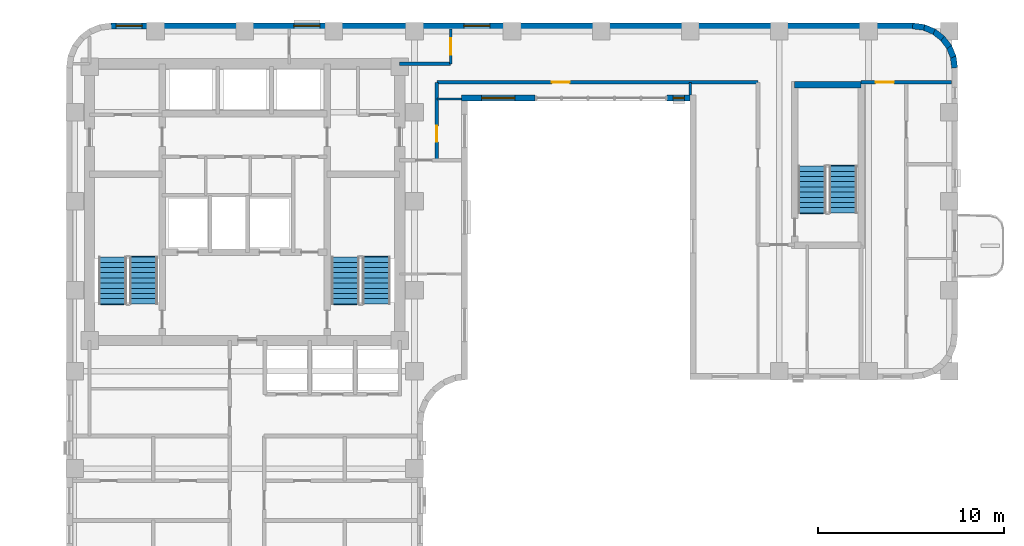
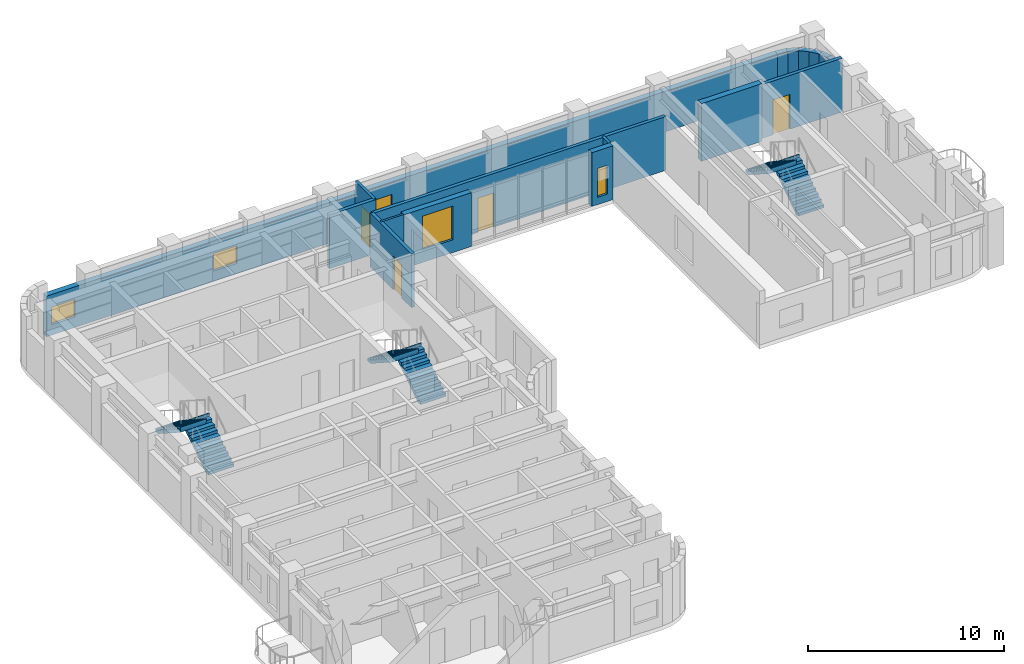
# One storey, part 8 of 11: 17 walls, 6 stair flights, 5 windows, 4 doors, 9 openings, 3 elements without a shape of their own.
"""IFC4 building model written with IfcOpenShell, lengths in metres."""

from ifc_helpers import new_model, si_unit, direction, frame, frame_2d, origin, place, context, subcontext, project, spatial, polyline, rectangle, outline, extrude, material, layer, layer_set, type_object, element, fill, aggregate, save


model = new_model("IFC4")

# Units and contexts
model_context = context("Model", 3, precision=1e-05, world=origin(), true_north=direction((0.0, 1.0)))
body_context = subcontext(model_context, "Body", "Model", "MODEL_VIEW")
ifc_project = project(units=[si_unit("LENGTHUNIT", "METRE"), si_unit("AREAUNIT", "SQUARE_METRE"), si_unit("VOLUMEUNIT", "CUBIC_METRE"), si_unit("PLANEANGLEUNIT", "RADIAN"), si_unit("MASSUNIT", "GRAM", prefix="KILO")], contexts=[model_context])

# Site, building, storey
site_placement = place(None, origin())
site = spatial("IfcSite", under=ifc_project, at=site_placement, CompositionType="ELEMENT")
building_placement = place(site_placement, origin())
building = spatial("IfcBuilding", under=site, at=building_placement, Name="Orvandelia Arch Residences", CompositionType="ELEMENT")
storey_placement = place(building_placement, frame((0.0, 0.0, 172.0)))
storey = spatial("IfcBuildingStorey", under=building, at=storey_placement, Name="L45", CompositionType="ELEMENT", Elevation=172.0)

# Walls
ifc_material_1 = material(Name="Concrete C50/60", Category="concrete")
ifc_layer_1 = layer(ifc_material_1, 0.35009765625, Name="Concrete C50/60", Category="concrete")
ifc_layer_set_1 = layer_set([ifc_layer_1], Name="Concrete C50/60")
wall_type_1 = type_object("IfcWallType", Name="WL-CORE-350", PredefinedType="SHEAR", material=ifc_layer_set_1)
wall_1_placement = place(storey_placement, frame((44.02001953125, 44.659912109375, 0.0), z_axis=(0.0, 0.0, 1.0), x_axis=(1.0, 0.0, 0.0)))
element("IfcWall", 1, at=wall_1_placement, inside=storey, type_object=wall_type_1, Name="East Stair Core Shear Wall L45-N", PredefinedType="SHEAR", context=body_context, shape_type="SweptSolid", body=[
    extrude(rectangle(XDim=3.580078125, YDim=0.35009765625, at=frame_2d((1.7900390625, 0.0))), origin(), (0.0, 0.0, 1.0), 3.60009765625),
])
ifc_material_2 = material(Name="Fire-Rated Corridor Partition")
ifc_layer_2 = layer(ifc_material_2, 0.199951171875, Name="Fire-Rated Corridor Partition")
ifc_layer_set_2 = layer_set([ifc_layer_2], Name="Fire-Rated Corridor Partition")
wall_type_2 = type_object("IfcWallType", Name="WL-CORR-200", PredefinedType="PARTITIONING", material=ifc_layer_set_2)
wall_2_placement = place(storey_placement, frame((22.75, 45.800048828125, 0.0), z_axis=(0.0, 0.0, 1.0), x_axis=(1.0, 0.0, 0.0)))
element("IfcWall", 2, at=wall_2_placement, inside=storey, type_object=wall_type_2, Name="Interior Partition Wall WL-L45-NCE-S", PredefinedType="PARTITIONING", context=body_context, shape_type="SweptSolid", body=[
    extrude(rectangle(XDim=2.75, YDim=0.199951171875, at=frame_2d((1.375, 0.0))), origin(), (0.0, 0.0, 1.0), 3.360107421875),
])

# Wall, opening, door
wall_3_placement = place(storey_placement, frame((24.75, 44.800048828125, 0.0), z_axis=(0.0, 0.0, 1.0), x_axis=(1.0, 0.0, 0.0)))
wall_3 = element("IfcWall", 3, at=wall_3_placement, inside=storey, type_object=wall_type_2, Name="Interior Partition Wall WL-L45-ENP-S1", PredefinedType="PARTITIONING", context=body_context, shape_type="SweptSolid", body=[
    extrude(rectangle(XDim=17.300048828125, YDim=0.199951171875, at=frame_2d((8.64990234375, 0.0))), origin(), (0.0, 0.0, 1.0), 3.360107421875),
])
opening_1_placement = place(wall_3_placement, frame((6.199951171875, 0.0, 0.0)))
opening_1 = element("IfcOpeningElement", 4, at=opening_1_placement, cuts=wall_3, Name="Opening D2", PredefinedType="OPENING", context=body_context, shape_type="SweptSolid", body=[
    extrude(rectangle(XDim=0.949951171875, YDim=2.14990234375, at=frame_2d((0.47509765625, 1.074951171875))), frame((0.0, 0.10986328125, 0.0), z_axis=(0.0, -1.0, 0.0), x_axis=(1.0, 0.0, 0.0)), (0.0, 0.0, 1.0), 0.219970703125),
])
ifc_material_3 = material(Name="Solid-Core Timber Interior Fire Door", Category="wood")
door_type_1 = type_object("IfcDoorType", Name="DR-APT-950", OperationType="NOTDEFINED", PredefinedType="DOOR", material=ifc_material_3)
door_1_placement = place(opening_1_placement, origin())
door_1 = element("IfcDoor", 5, at=door_1_placement, inside=storey, type_object=door_type_1, Name="DR-L45-VPBRG", OperationType="SINGLE_SWING_LEFT", OverallHeight=2.14990234375, OverallWidth=0.949951171875, PredefinedType="DOOR", context=body_context, shape_type="SweptSolid", body=[
    extrude(rectangle(XDim=0.949951171875, YDim=2.14990234375, at=frame_2d((0.47509765625, 1.074951171875))), frame((0.0, 0.02490234375, 0.0), z_axis=(0.0, -1.0, 0.0), x_axis=(1.0, 0.0, 0.0)), (0.0, 0.0, 1.0), 0.050048828125),
])
fill(opening_1, door_1)

wall_4_placement = place(storey_placement, frame((47.60009765625, 44.800048828125, 0.0), z_axis=(0.0, 0.0, 1.0), x_axis=(1.0, 0.0, 0.0)))
wall_4 = element("IfcWall", 6, at=wall_4_placement, inside=storey, type_object=wall_type_2, Name="Interior Partition Wall WL-L45-ENP-S2", PredefinedType="PARTITIONING", context=body_context, shape_type="SweptSolid", body=[
    extrude(rectangle(XDim=4.8798828125, YDim=0.199951171875, at=frame_2d((2.43994140625, 0.0))), origin(), (0.0, 0.0, 1.0), 3.360107421875),
])
opening_2_placement = place(wall_4_placement, frame((0.79150390625, 0.0, 0.0)))
opening_2 = element("IfcOpeningElement", 7, at=opening_2_placement, cuts=wall_4, Name="Opening D1", PredefinedType="OPENING", context=body_context, shape_type="SweptSolid", body=[
    extrude(rectangle(XDim=0.97998046875, YDim=2.179931640625, at=frame_2d((0.489990234375, 1.08984375))), frame((0.0, 0.10986328125, 0.0), z_axis=(0.0, -1.0, 0.0), x_axis=(1.0, 0.0, 0.0)), (0.0, 0.0, 1.0), 0.219970703125),
])
ifc_material_4 = material(Name="Solid-Core Timber Acoustic Fire Door", Category="wood")
door_type_2 = type_object("IfcDoorType", Name="DR-ENT-980", OperationType="NOTDEFINED", PredefinedType="DOOR", material=ifc_material_4)
door_2_placement = place(opening_2_placement, origin())
door_2 = element("IfcDoor", 8, at=door_2_placement, inside=storey, type_object=door_type_2, Name="Unit L45-07 Entrance Door", OperationType="SINGLE_SWING_LEFT", OverallHeight=2.179931640625, OverallWidth=0.97998046875, PredefinedType="DOOR", context=body_context, shape_type="SweptSolid", body=[
    extrude(rectangle(XDim=0.97998046875, YDim=2.179931640625, at=frame_2d((0.489990234375, 1.08984375))), frame((0.0, 0.02490234375, 0.0), z_axis=(0.0, -1.0, 0.0), x_axis=(1.0, 0.0, 0.0)), (0.0, 0.0, 1.0), 0.050048828125),
])
fill(opening_2, door_2)

wall_5_placement = place(storey_placement, frame((24.75, 40.60009765625, 0.0), z_axis=(0.0, 0.0, 1.0), x_axis=(0.0, 1.0, 0.0)))
wall_5 = element("IfcWall", 9, at=wall_5_placement, inside=storey, type_object=wall_type_2, Name="Interior Partition Wall WL-L45-ENP-LW", PredefinedType="PARTITIONING", context=body_context, shape_type="SweptSolid", body=[
    extrude(rectangle(XDim=4.199951171875, YDim=0.199951171875, at=frame_2d((2.10009765625, 0.0))), origin(), (0.0, 0.0, 1.0), 3.360107421875),
])
opening_3_placement = place(wall_5_placement, frame((1.0, 0.0, 0.0)))
opening_3 = element("IfcOpeningElement", 10, at=opening_3_placement, cuts=wall_5, Name="Opening D4", PredefinedType="OPENING", context=body_context, shape_type="SweptSolid", body=[
    extrude(rectangle(XDim=0.860107421875, YDim=2.10009765625, at=frame_2d((0.43017578125, 1.050048828125))), frame((0.0, 0.10986328125, 0.0), z_axis=(0.0, -1.0, 0.0), x_axis=(1.0, 0.0, 0.0)), (0.0, 0.0, 1.0), 0.219970703125),
])
ifc_material_5 = material(Name="Moisture-Sealed Timber Bathroom Door", Category="wood")
door_type_3 = type_object("IfcDoorType", Name="DR-WET-900", OperationType="NOTDEFINED", PredefinedType="DOOR", material=ifc_material_5)
door_3_placement = place(opening_3_placement, origin())
door_3 = element("IfcDoor", 11, at=door_3_placement, inside=storey, type_object=door_type_3, Name="DR-L45-VPWNK", OperationType="SINGLE_SWING_RIGHT", OverallHeight=2.10009765625, OverallWidth=0.860107421875, PredefinedType="DOOR", context=body_context, shape_type="SweptSolid", body=[
    extrude(rectangle(XDim=0.860107421875, YDim=2.10009765625, at=frame_2d((0.43017578125, 1.050048828125))), frame((0.0, 0.02490234375, 0.0), z_axis=(0.0, -1.0, 0.0), x_axis=(1.0, 0.0, 0.0)), (0.0, 0.0, 1.0), 0.050048828125),
])
fill(opening_3, door_3)

# Wall, openings, windows
ifc_material_6 = material(Name="Precast concrete C40/50", Category="concrete")
ifc_layer_3 = layer(ifc_material_6, 0.320068359375, Name="Precast concrete C40/50", Category="concrete")
ifc_layer_set_3 = layer_set([ifc_layer_3], Name="Precast concrete C40/50")
wall_type_3 = type_object("IfcWallType", Name="WL-EXT-STONE-320", PredefinedType="STANDARD", material=ifc_layer_set_3)
wall_6_placement = place(storey_placement, frame((7.199951171875, 47.840087890625, 0.0), z_axis=(0.0, 0.0, 1.0), x_axis=(1.0, 0.0, 0.0)))
wall_6 = element("IfcWall", 12, at=wall_6_placement, inside=storey, type_object=wall_type_3, Name="Coral-Limestone Precast Facade Wall L45-007", PredefinedType="STANDARD", context=body_context, shape_type="SweptSolid", body=[
    extrude(rectangle(XDim=43.199951171875, YDim=0.320068359375, at=frame_2d((21.60009765625, 0.0))), origin(), (0.0, 0.0, 1.0), 2.5400390625),
])
opening_4_placement = place(wall_6_placement, frame((19.00244140625, 0.0, 0.64990234375)))
opening_4 = element("IfcOpeningElement", 13, at=opening_4_placement, cuts=wall_6, Name="Opening W10", PredefinedType="OPENING", context=body_context, shape_type="SweptSolid", body=[
    extrude(rectangle(XDim=1.39990234375, YDim=1.10009765625, at=frame_2d((0.699951171875, 0.550048828125))), frame((0.0, 0.169921875, 0.0), z_axis=(0.0, -1.0, 0.0), x_axis=(1.0, 0.0, 0.0)), (0.0, 0.0, 1.0), 0.340087890625),
])
opening_5_placement = place(wall_6_placement, frame((0.282470703125, 0.0, 0.64990234375)))
opening_5 = element("IfcOpeningElement", 14, at=opening_5_placement, cuts=wall_6, Name="Opening W10", PredefinedType="OPENING", context=body_context, shape_type="SweptSolid", body=[
    extrude(rectangle(XDim=1.39990234375, YDim=1.10009765625, at=frame_2d((0.699951171875, 0.550048828125))), frame((0.0, 0.169921875, 0.0), z_axis=(0.0, -1.0, 0.0), x_axis=(1.0, 0.0, 0.0)), (0.0, 0.0, 1.0), 0.340087890625),
])
opening_6_placement = place(wall_6_placement, frame((9.8525390625, 0.0, 0.64990234375)))
opening_6 = element("IfcOpeningElement", 15, at=opening_6_placement, cuts=wall_6, Name="Opening W10", PredefinedType="OPENING", context=body_context, shape_type="SweptSolid", body=[
    extrude(rectangle(XDim=1.39990234375, YDim=1.10009765625, at=frame_2d((0.699951171875, 0.550048828125))), frame((0.0, 0.169921875, 0.0), z_axis=(0.0, -1.0, 0.0), x_axis=(1.0, 0.0, 0.0)), (0.0, 0.0, 1.0), 0.340087890625),
])
ifc_material_7 = material(Name="Tempered Low-E Insulated Glazing", Category="glass")
window_type_1 = type_object("IfcWindowType", Name="WIN-CLR-1400x1100", PartitioningType="SINGLE_PANEL", PredefinedType="WINDOW", material=ifc_material_7)
window_1_placement = place(opening_4_placement, origin())
window_1 = element("IfcWindow", 16, at=window_1_placement, inside=storey, type_object=window_type_1, Name="Recessed Punched Window L45-001", OverallHeight=1.10009765625, OverallWidth=1.39990234375, PartitioningType="SINGLE_PANEL", PredefinedType="WINDOW", context=body_context, shape_type="SweptSolid", body=[
    extrude(rectangle(XDim=1.39990234375, YDim=1.10009765625, at=frame_2d((0.699951171875, 0.550048828125))), frame((0.0, 0.030029296875, 0.0), z_axis=(0.0, -1.0, 0.0), x_axis=(1.0, 0.0, 0.0)), (0.0, 0.0, 1.0), 0.06005859375),
])
fill(opening_4, window_1)
window_2_placement = place(opening_5_placement, origin())
window_2 = element("IfcWindow", 17, at=window_2_placement, inside=storey, type_object=window_type_1, Name="Recessed Punched Window L45-002", OverallHeight=1.10009765625, OverallWidth=1.39990234375, PartitioningType="SINGLE_PANEL", PredefinedType="WINDOW", context=body_context, shape_type="SweptSolid", body=[
    extrude(rectangle(XDim=1.39990234375, YDim=1.10009765625, at=frame_2d((0.699951171875, 0.550048828125))), frame((0.0, 0.030029296875, 0.0), z_axis=(0.0, -1.0, 0.0), x_axis=(1.0, 0.0, 0.0)), (0.0, 0.0, 1.0), 0.06005859375),
])
fill(opening_5, window_2)
window_3_placement = place(opening_6_placement, origin())
window_3 = element("IfcWindow", 18, at=window_3_placement, inside=storey, type_object=window_type_1, Name="Recessed Punched Window L45-003", OverallHeight=1.10009765625, OverallWidth=1.39990234375, PartitioningType="SINGLE_PANEL", PredefinedType="WINDOW", context=body_context, shape_type="SweptSolid", body=[
    extrude(rectangle(XDim=1.39990234375, YDim=1.10009765625, at=frame_2d((0.699951171875, 0.550048828125))), frame((0.0, 0.030029296875, 0.0), z_axis=(0.0, -1.0, 0.0), x_axis=(1.0, 0.0, 0.0)), (0.0, 0.0, 1.0), 0.06005859375),
])
fill(opening_6, window_3)

# Walls
for number, where, z_axis, x_axis, name in (
    (19, (50.379150390625, 47.84130859375, 0.0), (0.0, 0.0, 1.0), (0.9914410257, -0.130555323746, 0.0), "Coral-Limestone Precast Facade Wall L45-008"),
    (20, (50.9599609375, 47.7705078125, 0.0), (0.0, 0.0, 1.0), (0.92389335771, -0.382650053678, 0.0), "Coral-Limestone Precast Facade Wall L45-009"),
    (21, (51.502685546875, 47.551513671875, 0.0), (0.0, 0.0, 1.0), (0.793405610854, -0.608693302629, 0.0), "Coral-Limestone Precast Facade Wall L45-010"),
    (22, (51.97021484375, 47.19970703125, 0.0), (0.0, 0.0, 1.0), (0.608693302629, -0.793405610854, 0.0), "Coral-Limestone Precast Facade Wall L45-011"),
    (23, (52.330810546875, 46.73876953125, 0.0), (0.0, 0.0, 1.0), (0.382317370307, -0.924031075431, 0.0), "Coral-Limestone Precast Facade Wall L45-012"),
    (24, (52.5595703125, 46.2001953125, 0.0), (0.0, 0.0, 1.0), (0.130555323746, -0.9914410257, 0.0), "Coral-Limestone Precast Facade Wall L45-013"),
):
    element("IfcWall", number, at=place(storey_placement, frame(where, z_axis=z_axis, x_axis=x_axis)), inside=storey, type_object=wall_type_3, Name=name, PredefinedType="STANDARD", context=body_context, shape_type="SweptSolid", body=[
        extrude(rectangle(XDim=0.62646484375, YDim=0.320068359375, at=frame_2d((0.313232421875, 0.0))), origin(), (0.0, 0.0, 1.0), 2.5400390625),
    ])

# Wall, opening, window
wall_7_placement = place(storey_placement, frame((38.39990234375, 43.9599609375, 0.0), z_axis=(0.0, 0.0, 1.0), x_axis=(-1.0, 0.0, 0.0)))
wall_7 = element("IfcWall", 25, at=wall_7_placement, inside=storey, type_object=wall_type_3, Name="Coral-Limestone Precast Facade Wall L45-023", PredefinedType="STANDARD", context=body_context, shape_type="SweptSolid", body=[
    extrude(rectangle(XDim=1.239990234375, YDim=0.320068359375, at=frame_2d((0.6201171875, 0.0))), origin(), (0.0, 0.0, 1.0), 3.360107421875),
])
opening_7_placement = place(wall_7_placement, frame((0.320068359375, 0.0, 0.449951171875)))
opening_7 = element("IfcOpeningElement", 26, at=opening_7_placement, cuts=wall_7, Name="Opening W12", PredefinedType="OPENING", context=body_context, shape_type="SweptSolid", body=[
    extrude(rectangle(XDim=0.60009765625, YDim=1.800048828125, at=frame_2d((0.300048828125, 0.89990234375))), frame((0.0, 0.169921875, 0.0), z_axis=(0.0, -1.0, 0.0), x_axis=(1.0, 0.0, 0.0)), (0.0, 0.0, 1.0), 0.340087890625),
])
window_type_2 = type_object("IfcWindowType", Name="WIN-LAN-0600x1800", PartitioningType="SINGLE_PANEL", PredefinedType="WINDOW", material=ifc_material_7)
window_4_placement = place(opening_7_placement, origin())
window_4 = element("IfcWindow", 27, at=window_4_placement, inside=storey, type_object=window_type_2, Name="Recessed Punched Window L45-012", OverallHeight=1.800048828125, OverallWidth=0.60009765625, PartitioningType="SINGLE_PANEL", PredefinedType="WINDOW", context=body_context, shape_type="SweptSolid", body=[
    extrude(rectangle(XDim=0.60009765625, YDim=1.800048828125, at=frame_2d((0.300048828125, 0.89990234375))), frame((0.0, 0.030029296875, 0.0), z_axis=(0.0, -1.0, 0.0), x_axis=(1.0, 0.0, 0.0)), (0.0, 0.0, 1.0), 0.06005859375),
])
fill(opening_7, window_4)

wall_8_placement = place(storey_placement, frame((30.0400390625, 43.9599609375, 0.0), z_axis=(0.0, 0.0, 1.0), x_axis=(-1.0, 0.0, 0.0)))
wall_8 = element("IfcWall", 28, at=wall_8_placement, inside=storey, type_object=wall_type_3, Name="Coral-Limestone Precast Facade Wall L45-024", PredefinedType="STANDARD", context=body_context, shape_type="SweptSolid", body=[
    extrude(rectangle(XDim=3.9599609375, YDim=0.320068359375, at=frame_2d((1.97998046875, 0.0))), origin(), (0.0, 0.0, 1.0), 3.360107421875),
])
opening_8_placement = place(wall_8_placement, frame((1.080078125, 0.0, 0.800048828125)))
opening_8 = element("IfcOpeningElement", 29, at=opening_8_placement, cuts=wall_8, Name="Opening W1", PredefinedType="OPENING", context=body_context, shape_type="SweptSolid", body=[
    extrude(rectangle(XDim=1.800048828125, YDim=2.10009765625, at=frame_2d((0.89990234375, 1.050048828125))), frame((0.0, 0.169921875, 0.0), z_axis=(0.0, -1.0, 0.0), x_axis=(1.0, 0.0, 0.0)), (0.0, 0.0, 1.0), 0.340087890625),
])
window_type_3 = type_object("IfcWindowType", Name="WIN-RES-1800x2100", PartitioningType="SINGLE_PANEL", PredefinedType="WINDOW", material=ifc_material_7)
window_5_placement = place(opening_8_placement, origin())
window_5 = element("IfcWindow", 30, at=window_5_placement, inside=storey, type_object=window_type_3, Name="Recessed Punched Window L45-013", OverallHeight=2.10009765625, OverallWidth=1.800048828125, PartitioningType="SINGLE_PANEL", PredefinedType="WINDOW", context=body_context, shape_type="SweptSolid", body=[
    extrude(rectangle(XDim=1.800048828125, YDim=2.10009765625, at=frame_2d((0.89990234375, 1.050048828125))), frame((0.0, 0.030029296875, 0.0), z_axis=(0.0, -1.0, 0.0), x_axis=(1.0, 0.0, 0.0)), (0.0, 0.0, 1.0), 0.06005859375),
])
fill(opening_8, window_5)

# Wall
ifc_material_8 = material(Name="Lightweight Gypsum Stud Partition")
ifc_layer_4 = layer(ifc_material_8, 0.1201171875, Name="Lightweight Gypsum Stud Partition")
ifc_layer_set_4 = layer_set([ifc_layer_4], Name="Lightweight Gypsum Stud Partition")
wall_type_4 = type_object("IfcWallType", Name="WL-PART-120", PredefinedType="PARTITIONING", material=ifc_layer_set_4)
wall_9_placement = place(storey_placement, frame((24.75, 43.89990234375, 0.0), z_axis=(0.0, 0.0, 1.0), x_axis=(1.0, 0.0, 0.0)))
element("IfcWall", 31, at=wall_9_placement, inside=storey, type_object=wall_type_4, Name="Interior Partition Wall WL-L45-VPWNK-N", PredefinedType="PARTITIONING", context=body_context, shape_type="SweptSolid", body=[
    extrude(rectangle(XDim=1.330078125, YDim=0.1201171875, at=frame_2d((0.6650390625, 0.0))), origin(), (0.0, 0.0, 1.0), 3.360107421875),
])

# Wall, opening, door
ifc_material_9 = material(Name="Acoustic Gypsum Stud Partition")
ifc_layer_5 = layer(ifc_material_9, 0.14990234375, Name="Acoustic Gypsum Stud Partition")
ifc_layer_set_5 = layer_set([ifc_layer_5], Name="Acoustic Gypsum Stud Partition")
wall_type_5 = type_object("IfcWallType", Name="WL-PART-150", PredefinedType="PARTITIONING", material=ifc_layer_set_5)
wall_10_placement = place(storey_placement, frame((25.5, 45.800048828125, 0.0), z_axis=(0.0, 0.0, 1.0), x_axis=(0.0, 1.0, 0.0)))
wall_10 = element("IfcWall", 32, at=wall_10_placement, inside=storey, type_object=wall_type_5, Name="Interior Partition Wall WL-L45-NCE-W", PredefinedType="PARTITIONING", context=body_context, shape_type="SweptSolid", body=[
    extrude(rectangle(XDim=1.8798828125, YDim=0.14990234375, at=frame_2d((0.93994140625, 0.0))), origin(), (0.0, 0.0, 1.0), 3.360107421875),
])
opening_9_placement = place(wall_10_placement, frame((0.5, 0.0, 0.0)))
opening_9 = element("IfcOpeningElement", 33, at=opening_9_placement, cuts=wall_10, Name="Opening D5", PredefinedType="OPENING", context=body_context, shape_type="SweptSolid", body=[
    extrude(rectangle(XDim=0.8798828125, YDim=2.10009765625, at=frame_2d((0.43994140625, 1.050048828125))), frame((0.0, 0.0849609375, 0.0), z_axis=(0.0, -1.0, 0.0), x_axis=(1.0, 0.0, 0.0)), (0.0, 0.0, 1.0), 0.169921875),
])
ifc_material_10 = material(Name="Painted Galvanised Steel Service Door", Category="steel")
door_type_4 = type_object("IfcDoorType", Name="DR-SRV-880", OperationType="NOTDEFINED", PredefinedType="DOOR", material=ifc_material_10)
door_4_placement = place(opening_9_placement, origin())
door_4 = element("IfcDoor", 34, at=door_4_placement, inside=storey, type_object=door_type_4, Name="DR-L45-NCS2", OperationType="SINGLE_SWING_LEFT", OverallHeight=2.10009765625, OverallWidth=0.8798828125, PredefinedType="DOOR", context=body_context, shape_type="SweptSolid", body=[
    extrude(rectangle(XDim=0.8798828125, YDim=2.10009765625, at=frame_2d((0.43994140625, 1.050048828125))), frame((0.0, 0.02490234375, 0.0), z_axis=(0.0, -1.0, 0.0), x_axis=(1.0, 0.0, 0.0)), (0.0, 0.0, 1.0), 0.050048828125),
])
fill(opening_9, door_4)

# Wall
wall_11_placement = place(storey_placement, frame((38.39990234375, 44.1201171875, 0.0), z_axis=(0.0, 0.0, 1.0), x_axis=(0.0, 1.0, 0.0)))
element("IfcWall", 35, at=wall_11_placement, inside=storey, type_object=wall_type_5, Name="Interior Partition Wall WL-L45-VPBRG-E", PredefinedType="PARTITIONING", context=body_context, shape_type="SweptSolid", body=[
    extrude(rectangle(XDim=0.679931640625, YDim=0.14990234375, at=frame_2d((0.33984375, 0.0))), origin(), (0.0, 0.0, 1.0), 3.360107421875),
])

# Stair, stair flights
ifc_material_11 = material(Name="Concrete C40/50", Category="concrete")
stair_type = type_object("IfcStairType", Name="STAIR-RC-DOGLEG", PredefinedType="HALF_TURN_STAIR", material=ifc_material_11)
stair_1_placement = place(storey_placement, origin())
stair_1 = element("IfcStair", 36, at=stair_1_placement, inside=storey, type_object=stair_type, Name="L45 Protected Exit Stair ST-1", PredefinedType="HALF_TURN_STAIR")
stair_flight_type = type_object("IfcStairFlightType", Name="STFLT-RC-1520", PredefinedType="STRAIGHT", material=ifc_material_11)
stair_flight_1_placement = place(storey_placement, frame((8.9599609375, 32.8701171875, 0.0), z_axis=(0.0, 0.0, 1.0), x_axis=(0.0, 1.0, 0.0)))
stair_flight_1 = element("IfcStairFlight", 37, at=stair_flight_1_placement, type_object=stair_flight_type, Name="ST-1 flight 1", NumberOfRisers=10, NumberOfTreads=9, PredefinedType="STRAIGHT", RiserHeight=0.18, TreadLength=0.28, context=body_context, shape_type="SweptSolid", body=[
    extrude(outline(polyline([(0.0, 0.0), (0.0, 0.179931640625), (0.280029296875, 0.179931640625), (0.280029296875, 0.360107421875), (0.56005859375, 0.360107421875), (0.56005859375, 0.5400390625), (0.840087890625, 0.5400390625), (0.840087890625, 0.719970703125), (1.1201171875, 0.719970703125), (1.1201171875, 0.89990234375), (1.39990234375, 0.89990234375), (1.39990234375, 1.080078125), (1.679931640625, 1.080078125), (1.679931640625, 1.260009765625), (1.9599609375, 1.260009765625), (1.9599609375, 1.43994140625), (2.239990234375, 1.43994140625), (2.239990234375, 1.6201171875), (2.52001953125, 1.6201171875), (2.52001953125, 1.800048828125), (2.580078125, 1.800048828125), (2.580078125, 1.6201171875), (2.52001953125, 1.44189453125), (0.277099609375, 0.0), (0.0, 0.0)])), frame((0.0, 0.760009765625, 0.0), z_axis=(0.0, -1.0, 0.0), x_axis=(1.0, 0.0, 0.0)), (0.0, 0.0, 1.0), 1.52001953125),
])
stair_flight_2_placement = place(storey_placement, frame((7.2900390625, 35.389892578125, 1.800048828125), z_axis=(0.0, 0.0, 1.0), x_axis=(0.0, -1.0, 0.0)))
stair_flight_2 = element("IfcStairFlight", 38, at=stair_flight_2_placement, type_object=stair_flight_type, Name="ST-1 flight 2", NumberOfRisers=10, NumberOfTreads=9, PredefinedType="STRAIGHT", RiserHeight=0.18, TreadLength=0.28, context=body_context, shape_type="SweptSolid", body=[
    extrude(outline(polyline([(0.0, 0.0), (0.0, 0.179931640625), (0.280029296875, 0.179931640625), (0.280029296875, 0.360107421875), (0.56005859375, 0.360107421875), (0.56005859375, 0.5400390625), (0.840087890625, 0.5400390625), (0.840087890625, 0.719970703125), (1.1201171875, 0.719970703125), (1.1201171875, 0.89990234375), (1.39990234375, 0.89990234375), (1.39990234375, 1.080078125), (1.679931640625, 1.080078125), (1.679931640625, 1.260009765625), (1.9599609375, 1.260009765625), (1.9599609375, 1.43994140625), (2.239990234375, 1.43994140625), (2.239990234375, 1.6201171875), (2.52001953125, 1.6201171875), (2.52001953125, 1.800048828125), (2.580078125, 1.800048828125), (2.580078125, 1.6201171875), (2.52001953125, 1.44189453125), (0.277099609375, 0.0), (0.0, 0.0)])), frame((0.0, 0.760009765625, 0.0), z_axis=(0.0, -1.0, 0.0), x_axis=(1.0, 0.0, 0.0)), (0.0, 0.0, 1.0), 1.52001953125),
])
aggregate(stair_1, [stair_flight_1, stair_flight_2])

stair_2_placement = place(storey_placement, origin())
stair_2 = element("IfcStair", 39, at=stair_2_placement, inside=storey, type_object=stair_type, Name="L45 Protected Exit Stair ST-2", PredefinedType="HALF_TURN_STAIR")
stair_flight_3_placement = place(storey_placement, frame((21.489990234375, 32.8701171875, 0.0), z_axis=(0.0, 0.0, 1.0), x_axis=(0.0, 1.0, 0.0)))
stair_flight_3 = element("IfcStairFlight", 40, at=stair_flight_3_placement, type_object=stair_flight_type, Name="ST-2 flight 1", NumberOfRisers=10, NumberOfTreads=9, PredefinedType="STRAIGHT", RiserHeight=0.18, TreadLength=0.28, context=body_context, shape_type="SweptSolid", body=[
    extrude(outline(polyline([(0.0, 0.0), (0.0, 0.179931640625), (0.280029296875, 0.179931640625), (0.280029296875, 0.360107421875), (0.56005859375, 0.360107421875), (0.56005859375, 0.5400390625), (0.840087890625, 0.5400390625), (0.840087890625, 0.719970703125), (1.1201171875, 0.719970703125), (1.1201171875, 0.89990234375), (1.39990234375, 0.89990234375), (1.39990234375, 1.080078125), (1.679931640625, 1.080078125), (1.679931640625, 1.260009765625), (1.9599609375, 1.260009765625), (1.9599609375, 1.43994140625), (2.239990234375, 1.43994140625), (2.239990234375, 1.6201171875), (2.52001953125, 1.6201171875), (2.52001953125, 1.800048828125), (2.580078125, 1.800048828125), (2.580078125, 1.6201171875), (2.52001953125, 1.44189453125), (0.277099609375, 0.0), (0.0, 0.0)])), frame((0.0, 0.760009765625, 0.0), z_axis=(0.0, -1.0, 0.0), x_axis=(1.0, 0.0, 0.0)), (0.0, 0.0, 1.0), 1.52001953125),
])
stair_flight_4_placement = place(storey_placement, frame((19.820068359375, 35.389892578125, 1.800048828125), z_axis=(0.0, 0.0, 1.0), x_axis=(0.0, -1.0, 0.0)))
stair_flight_4 = element("IfcStairFlight", 41, at=stair_flight_4_placement, type_object=stair_flight_type, Name="ST-2 flight 2", NumberOfRisers=10, NumberOfTreads=9, PredefinedType="STRAIGHT", RiserHeight=0.18, TreadLength=0.28, context=body_context, shape_type="SweptSolid", body=[
    extrude(outline(polyline([(0.0, 0.0), (0.0, 0.179931640625), (0.280029296875, 0.179931640625), (0.280029296875, 0.360107421875), (0.56005859375, 0.360107421875), (0.56005859375, 0.5400390625), (0.840087890625, 0.5400390625), (0.840087890625, 0.719970703125), (1.1201171875, 0.719970703125), (1.1201171875, 0.89990234375), (1.39990234375, 0.89990234375), (1.39990234375, 1.080078125), (1.679931640625, 1.080078125), (1.679931640625, 1.260009765625), (1.9599609375, 1.260009765625), (1.9599609375, 1.43994140625), (2.239990234375, 1.43994140625), (2.239990234375, 1.6201171875), (2.52001953125, 1.6201171875), (2.52001953125, 1.800048828125), (2.580078125, 1.800048828125), (2.580078125, 1.6201171875), (2.52001953125, 1.44189453125), (0.277099609375, 0.0), (0.0, 0.0)])), frame((0.0, 0.760009765625, 0.0), z_axis=(0.0, -1.0, 0.0), x_axis=(1.0, 0.0, 0.0)), (0.0, 0.0, 1.0), 1.52001953125),
])
aggregate(stair_2, [stair_flight_3, stair_flight_4])

stair_3_placement = place(storey_placement, origin())
stair_3 = element("IfcStair", 42, at=stair_3_placement, inside=storey, type_object=stair_type, Name="L45 East Wing Exit Stair ST-3", PredefinedType="HALF_TURN_STAIR")
stair_flight_5_placement = place(storey_placement, frame((46.639892578125, 37.77001953125, 0.0), z_axis=(0.0, 0.0, 1.0), x_axis=(0.0, 1.0, 0.0)))
stair_flight_5 = element("IfcStairFlight", 43, at=stair_flight_5_placement, type_object=stair_flight_type, Name="ST-3 flight 1", NumberOfRisers=10, NumberOfTreads=9, PredefinedType="STRAIGHT", RiserHeight=0.18, TreadLength=0.28, context=body_context, shape_type="SweptSolid", body=[
    extrude(outline(polyline([(0.0, 0.0), (0.0, 0.179931640625), (0.280029296875, 0.179931640625), (0.280029296875, 0.360107421875), (0.56005859375, 0.360107421875), (0.56005859375, 0.5400390625), (0.840087890625, 0.5400390625), (0.840087890625, 0.719970703125), (1.1201171875, 0.719970703125), (1.1201171875, 0.89990234375), (1.39990234375, 0.89990234375), (1.39990234375, 1.080078125), (1.679931640625, 1.080078125), (1.679931640625, 1.260009765625), (1.9599609375, 1.260009765625), (1.9599609375, 1.43994140625), (2.239990234375, 1.43994140625), (2.239990234375, 1.6201171875), (2.52001953125, 1.6201171875), (2.52001953125, 1.800048828125), (2.580078125, 1.800048828125), (2.580078125, 1.6201171875), (2.52001953125, 1.44189453125), (0.277099609375, 0.0), (0.0, 0.0)])), frame((0.0, 0.760009765625, 0.0), z_axis=(0.0, -1.0, 0.0), x_axis=(1.0, 0.0, 0.0)), (0.0, 0.0, 1.0), 1.52001953125),
])
stair_flight_6_placement = place(storey_placement, frame((44.969970703125, 40.2900390625, 1.800048828125), z_axis=(0.0, 0.0, 1.0), x_axis=(0.0, -1.0, 0.0)))
stair_flight_6 = element("IfcStairFlight", 44, at=stair_flight_6_placement, type_object=stair_flight_type, Name="ST-3 flight 2", NumberOfRisers=10, NumberOfTreads=9, PredefinedType="STRAIGHT", RiserHeight=0.18, TreadLength=0.28, context=body_context, shape_type="SweptSolid", body=[
    extrude(outline(polyline([(0.0, 0.0), (0.0, 0.179931640625), (0.280029296875, 0.179931640625), (0.280029296875, 0.360107421875), (0.56005859375, 0.360107421875), (0.56005859375, 0.5400390625), (0.840087890625, 0.5400390625), (0.840087890625, 0.719970703125), (1.1201171875, 0.719970703125), (1.1201171875, 0.89990234375), (1.39990234375, 0.89990234375), (1.39990234375, 1.080078125), (1.679931640625, 1.080078125), (1.679931640625, 1.260009765625), (1.9599609375, 1.260009765625), (1.9599609375, 1.43994140625), (2.239990234375, 1.43994140625), (2.239990234375, 1.6201171875), (2.52001953125, 1.6201171875), (2.52001953125, 1.800048828125), (2.580078125, 1.800048828125), (2.580078125, 1.6201171875), (2.52001953125, 1.44189453125), (0.277099609375, 0.0), (0.0, 0.0)])), frame((0.0, 0.760009765625, 0.0), z_axis=(0.0, -1.0, 0.0), x_axis=(1.0, 0.0, 0.0)), (0.0, 0.0, 1.0), 1.52001953125),
])
aggregate(stair_3, [stair_flight_5, stair_flight_6])

save(model, "model.ifc")
